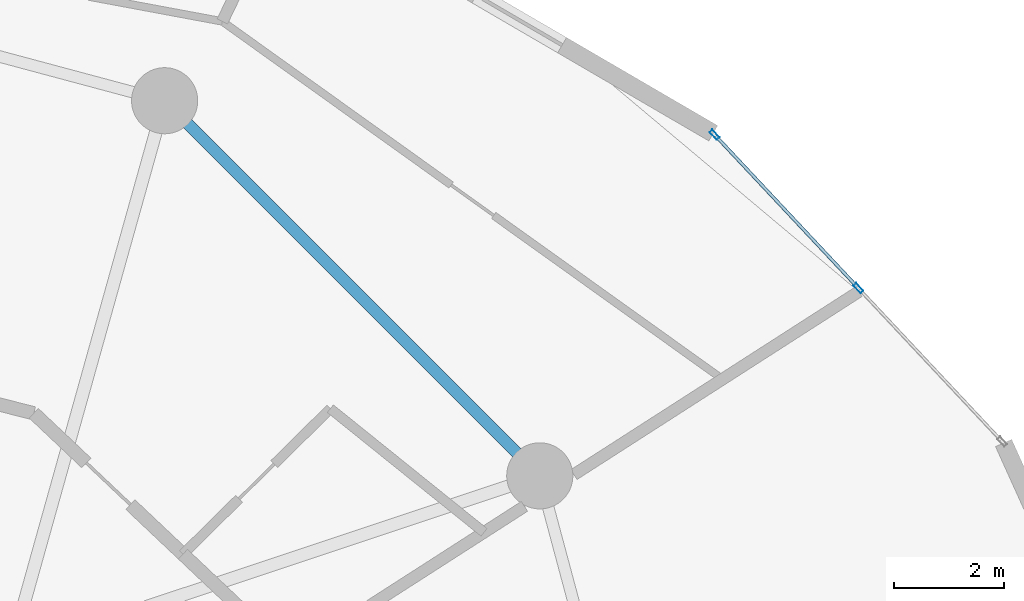
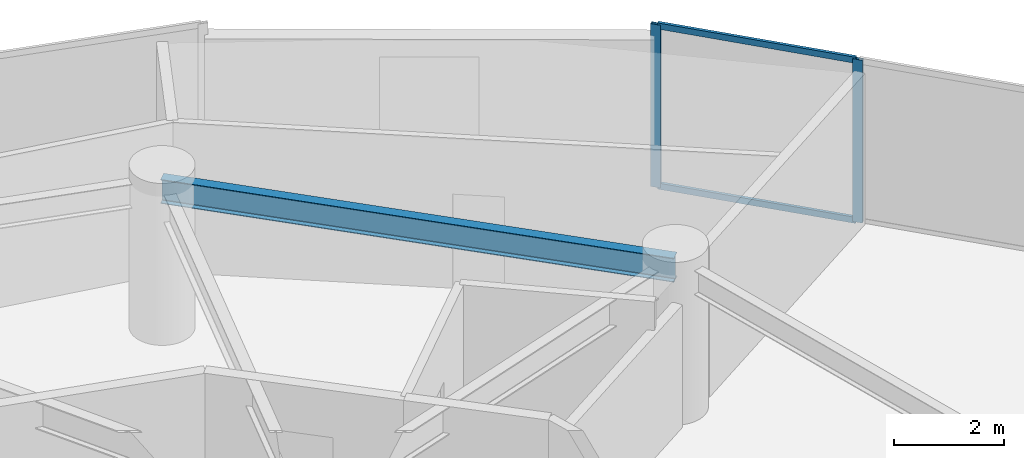
# One storey, part 14 of 23: 4 members, 1 beam, 1 element without a shape of its own.
"""IFC4 building model written with IfcOpenShell, lengths in metres."""

from ifc_helpers import new_model, si_unit, direction, frame, origin, origin_2d, place, context, subcontext, project, spatial, hollow_rectangle, i_section, extrude, source, transform, mapped, material, layer, layer_set, material_profile, profile_set, type_object, element, aggregate, save


model = new_model("IFC4")

# Units and contexts
model_context = context("Model", 3, precision=1e-05, world=origin(), true_north=direction((0.0, 1.0)))
body_context = subcontext(model_context, "Body", "Model", "MODEL_VIEW")
ifc_project = project(units=[si_unit("LENGTHUNIT", "METRE"), si_unit("AREAUNIT", "SQUARE_METRE"), si_unit("VOLUMEUNIT", "CUBIC_METRE"), si_unit("PLANEANGLEUNIT", "RADIAN"), si_unit("MASSUNIT", "GRAM", prefix="KILO")], contexts=[model_context])

# Site, building, storey
site_placement = place(None, origin())
site = spatial("IfcSite", under=ifc_project, at=site_placement, CompositionType="ELEMENT")
building_placement = place(site_placement, origin())
building = spatial("IfcBuilding", under=site, at=building_placement, Name="Solvirekh Grand Hotel", CompositionType="ELEMENT")
storey_placement = place(building_placement, frame((0.0, 0.0, 39.199951171875)))
storey = spatial("IfcBuildingStorey", under=building, at=storey_placement, Name="L08", CompositionType="ELEMENT", Elevation=39.199951171875)

# Beam
ifc_material_1 = material(Name="Steel S355", Category="steel")
ifc_material_profile_1 = material_profile(ifc_material_1, i_section(OverallWidth=0.208984375, OverallDepth=0.532958984375, WebThickness=0.010009765625, FlangeThickness=0.014892578125, FilletRadius=0.013916015625, at=origin_2d()), Name="W530X92")
ifc_profile_set_1 = profile_set([ifc_material_profile_1], Name="Steel S355")
beam_type = type_object("IfcBeamType", Name="Spandrel_Ring_W530", PredefinedType="SPANDREL", material=ifc_profile_set_1)
beam_placement = place(storey_placement, frame((16.10791015625, 9.300048828125, 3.072998046875), z_axis=(-0.707106781187, 0.707106781187, 0.0), x_axis=(-0.707106781187, -0.707106781187, 0.0)))
element("IfcBeam", 1, at=beam_placement, inside=storey, type_object=beam_type, Name="L08 perimeter spandrel beam 2", PredefinedType="SPANDREL", context=body_context, shape_type="SweptSolid", body=[
    extrude(i_section(OverallWidth=0.208984375, OverallDepth=0.532958984375, WebThickness=0.010009765625, FlangeThickness=0.014892578125, FilletRadius=0.013916015625, at=origin_2d()), origin(), (0.0, 0.0, 1.0), 9.627685546875),
])

# Curtain wall, members
ifc_material_2 = material(Name="Anodized Bronze Aluminium 6063-T6", Category="aluminium")
ifc_layer = layer(ifc_material_2, 0.18994140625)
ifc_layer_set = layer_set([ifc_layer], Name="Anodized Bronze Aluminium 6063-T6")
curtain_wall_type = type_object("IfcCurtainWallType", Name="CW_Sys2_LowZoneFlushBronzeCW", PredefinedType="NOTDEFINED", material=ifc_layer_set)
curtain_wall_placement = place(storey_placement, origin())
curtain_wall = element("IfcCurtainWall", 2, at=curtain_wall_placement, inside=storey, type_object=curtain_wall_type, Name="L08 unitised bronze-glass curtain wall CW-L08-C03", PredefinedType="NOTDEFINED")
ifc_material_profile_2 = material_profile(ifc_material_2, hollow_rectangle(XDim=0.070068359375, YDim=0.18994140625, WallThickness=0.0048828125, at=origin_2d()), Name="ALU RHS 190X70X5")
ifc_profile_set_2 = profile_set([ifc_material_profile_2], Name="Anodized Bronze Aluminium 6063-T6")
member_type_1 = type_object("IfcMemberType", Name="CWMullion_Sys2", PredefinedType="MULLION", material=ifc_profile_set_2)
shared_shape_1 = source(origin(), body_context, "Body", "SweptSolid", [
    extrude(hollow_rectangle(XDim=0.070068359375, YDim=0.18994140625, WallThickness=0.0048828125, at=origin_2d()), origin(), (0.0, 0.0, 1.0), 3.60009765625),
])
member_1_placement = place(storey_placement, frame((21.89111328125, 12.70703125, 0.0), z_axis=(0.0, 0.0, 1.0), x_axis=(-0.729577672277, -0.683897960309, 0.0)))
member_1 = element("IfcMember", 3, at=member_1_placement, type_object=member_type_1, Name="U02 mullion 2", PredefinedType="MULLION", context=body_context, shape_type="MappedRepresentation", body=[
    mapped(shared_shape_1, transform((0.0, 0.0, 0.0), x_axis=(1.0, 0.0, 0.0), y_axis=(0.0, 1.0, 0.0), z_axis=(0.0, 0.0, 1.0), scale=1.0)),
])
member_2_placement = place(storey_placement, frame((19.280029296875, 15.492431640625, 0.0), z_axis=(0.0, 0.0, 1.0), x_axis=(-0.729577672277, -0.683897960309, 0.0)))
member_2 = element("IfcMember", 4, at=member_2_placement, type_object=member_type_1, Name="U02 mullion 3", PredefinedType="MULLION", context=body_context, shape_type="MappedRepresentation", body=[
    mapped(shared_shape_1, transform((0.0, 0.0, 0.0), x_axis=(1.0, 0.0, 0.0), y_axis=(0.0, 1.0, 0.0), z_axis=(0.0, 0.0, 1.0), scale=1.0)),
])
ifc_material_profile_3 = material_profile(ifc_material_2, hollow_rectangle(XDim=0.06005859375, YDim=0.135009765625, WallThickness=0.00390625, at=origin_2d()), Name="ALU RHS 135X60X4")
ifc_profile_set_3 = profile_set([ifc_material_profile_3], Name="Anodized Bronze Aluminium 6063-T6")
member_type_2 = type_object("IfcMemberType", Name="CWTransom_Sys2", PredefinedType="USERDEFINED", material=ifc_profile_set_3)
shared_shape_2 = source(origin(), body_context, "Body", "SweptSolid", [
    extrude(hollow_rectangle(XDim=0.06005859375, YDim=0.135009765625, WallThickness=0.00390625, at=origin_2d()), origin(), (0.0, 0.0, 1.0), 3.748046875),
])
member_3_placement = place(storey_placement, frame((21.866943359375, 12.732421875, 0.030029296875), z_axis=(-0.683839281784, 0.729632672438, 0.0), x_axis=(-0.729632672438, -0.683839281784, 0.0)))
member_3 = element("IfcMember", 5, at=member_3_placement, type_object=member_type_2, Name="U02 transom 2.1", ObjectType="TRANSOM", PredefinedType="USERDEFINED", context=body_context, shape_type="MappedRepresentation", body=[
    mapped(shared_shape_2, transform((0.0, 0.0, 0.0), x_axis=(1.0, 0.0, 0.0), y_axis=(0.0, 1.0, 0.0), z_axis=(0.0, 0.0, 1.0), scale=1.0)),
])
member_4_placement = place(storey_placement, frame((21.866943359375, 12.732421875, 3.570068359375), z_axis=(-0.683839281784, 0.729632672438, 0.0), x_axis=(-0.729632672438, -0.683839281784, 0.0)))
member_4 = element("IfcMember", 6, at=member_4_placement, type_object=member_type_2, Name="U02 transom 2.2", ObjectType="TRANSOM", PredefinedType="USERDEFINED", context=body_context, shape_type="MappedRepresentation", body=[
    mapped(shared_shape_2, transform((0.0, 0.0, 0.0), x_axis=(1.0, 0.0, 0.0), y_axis=(0.0, 1.0, 0.0), z_axis=(0.0, 0.0, 1.0), scale=1.0)),
])
aggregate(curtain_wall, [member_1, member_2, member_3, member_4])

save(model, "model.ifc")
